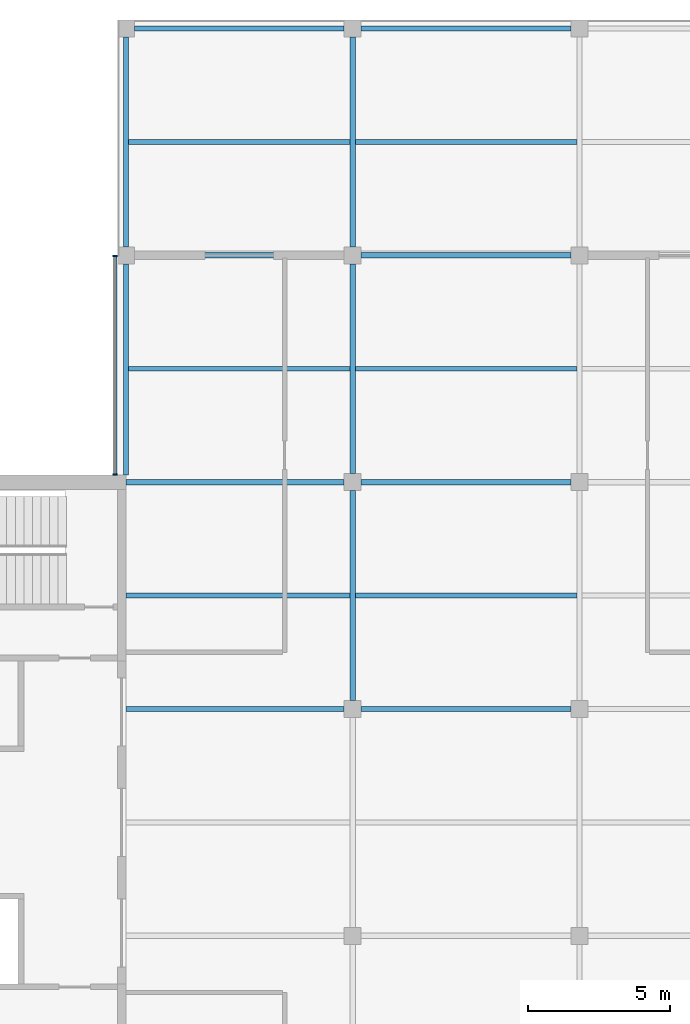
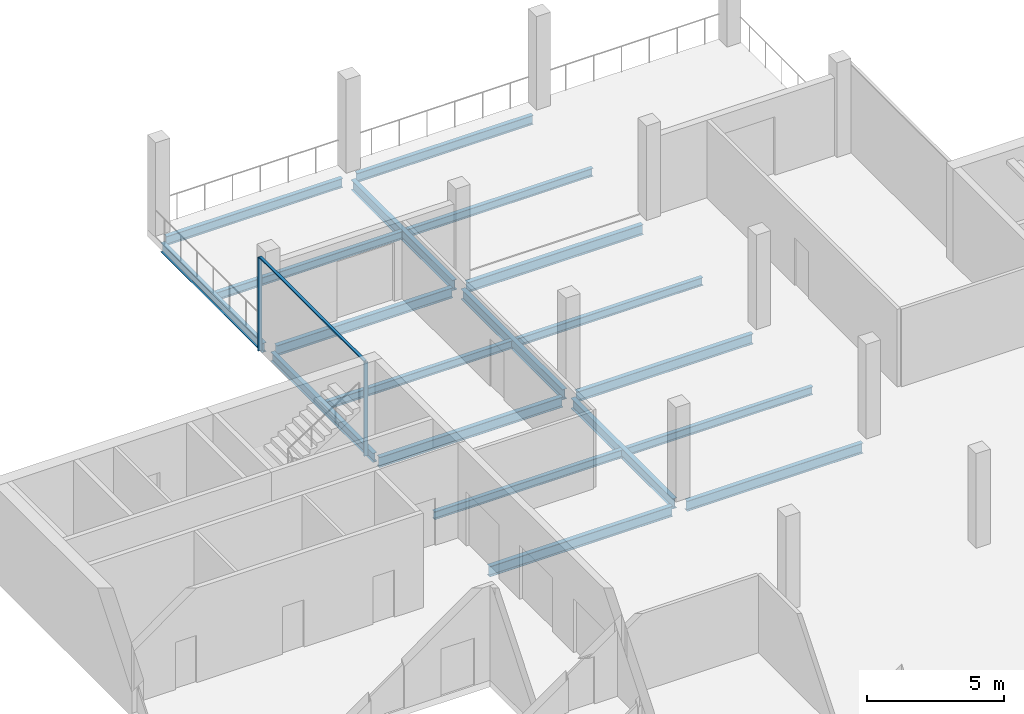
# One storey, part 5 of 12: 19 beams, 3 members, 1 element without a shape of its own.
"""IFC4 building model written with IfcOpenShell, lengths in metres."""

from ifc_helpers import new_model, si_unit, direction, frame, origin, origin_2d, place, context, subcontext, project, spatial, rectangle, i_section, extrude, material, material_profile, profile_set, type_object, element, aggregate, save


model = new_model("IFC4")

# Units and contexts
model_context = context("Model", 3, precision=1e-05, world=origin(), true_north=direction((0.0, 1.0)))
body_context = subcontext(model_context, "Body", "Model", "MODEL_VIEW")
ifc_project = project(units=[si_unit("LENGTHUNIT", "METRE"), si_unit("AREAUNIT", "SQUARE_METRE"), si_unit("VOLUMEUNIT", "CUBIC_METRE"), si_unit("PLANEANGLEUNIT", "RADIAN"), si_unit("MASSUNIT", "GRAM", prefix="KILO")], contexts=[model_context])

# Site, building, storey
site_placement = place(None, origin())
site = spatial("IfcSite", under=ifc_project, at=site_placement, CompositionType="ELEMENT")
building_placement = place(site_placement, origin())
building = spatial("IfcBuilding", under=site, at=building_placement, Name="Crosswind Convention Tower", CompositionType="ELEMENT")
storey_placement = place(building_placement, frame((0.0, 0.0, 323.89990234375)))
storey = spatial("IfcBuildingStorey", under=building, at=storey_placement, Name="L70", CompositionType="ELEMENT", Elevation=323.89990234375)

# Beams
ifc_material_1 = material(Name="Steel S355", Category="steel")
ifc_material_profile_1 = material_profile(ifc_material_1, i_section(OverallWidth=0.177734375, OverallDepth=0.406494140625, WebThickness=0.0078125, FlangeThickness=0.0126953125, FilletRadius=0.01025390625, at=origin_2d()), Name="UB 406x178x60")
ifc_profile_set_1 = profile_set([ifc_material_profile_1], Name="Steel S355")
beam_type_1 = type_object("IfcBeamType", Name="Edge beam UB 406x178x60", PredefinedType="SPANDREL", material=ifc_profile_set_1)
beam_1_placement = place(storey_placement, frame((113.0, 112.25, -0.503173828125), z_axis=(0.0, 1.0, 0.0), x_axis=(-1.0, 0.0, 0.0)))
element("IfcBeam", 1, at=beam_1_placement, inside=storey, type_object=beam_type_1, Name="B15 L70 edge beam 3", PredefinedType="SPANDREL", context=body_context, shape_type="SweptSolid", body=[
    extrude(i_section(OverallWidth=0.177734375, OverallDepth=0.406494140625, WebThickness=0.0078125, FlangeThickness=0.0126953125, FilletRadius=0.01025390625, at=origin_2d()), origin(), (0.0, 0.0, 1.0), 7.449951171875),
])
for number, where, z_axis, x_axis, name in (
    (2, (113.0, 120.300048828125, -0.503173828125), (0.0, 1.0, 0.0), (-1.0, 0.0, 0.0), "B15 L70 edge beam 4"),
    (3, (113.300048828125, 128.0, -0.503173828125), (1.0, 0.0, 0.0), (0.0, 1.0, 0.0), "B15 L70 edge beam 6"),
    (4, (121.300048828125, 128.0, -0.503173828125), (1.0, 0.0, 0.0), (0.0, 1.0, 0.0), "B15 L70 edge beam 8"),
):
    element("IfcBeam", number, at=place(storey_placement, frame(where, z_axis=z_axis, x_axis=x_axis)), inside=storey, type_object=beam_type_1, Name=name, PredefinedType="SPANDREL", context=body_context, shape_type="SweptSolid", body=[
        extrude(i_section(OverallWidth=0.177734375, OverallDepth=0.406494140625, WebThickness=0.0078125, FlangeThickness=0.0126953125, FilletRadius=0.01025390625, at=origin_2d()), origin(), (0.0, 0.0, 1.0), 7.39990234375),
    ])
ifc_material_profile_2 = material_profile(ifc_material_1, i_section(OverallWidth=0.18994140625, OverallDepth=0.45361328125, WebThickness=0.008544921875, FlangeThickness=0.0126953125, FilletRadius=0.01025390625, at=origin_2d()), Name="UB 457x191x67")
ifc_profile_set_2 = profile_set([ifc_material_profile_2], Name="Steel S355")
beam_type_2 = type_object("IfcBeamType", Name="Girder UB 457x191x67", PredefinedType="BEAM", material=ifc_profile_set_2)
for number, where, z_axis, x_axis, name in (
    (5, (113.300048828125, 120.0, -0.526611328125), (1.0, 0.0, 0.0), (0.0, 1.0, 0.0), "B1 L70 girder 2"),
    (6, (121.0, 104.300048828125, -0.526611328125), (0.0, 1.0, 0.0), (-1.0, 0.0, 0.0), "B1 L70 girder 7"),
    (7, (121.0, 112.300048828125, -0.526611328125), (0.0, 1.0, 0.0), (-1.0, 0.0, 0.0), "B1 L70 girder 8"),
    (8, (121.0, 120.300048828125, -0.526611328125), (0.0, 1.0, 0.0), (-1.0, 0.0, 0.0), "B1 L70 girder 9"),
    (9, (121.300048828125, 104.0, -0.526611328125), (1.0, 0.0, 0.0), (0.0, 1.0, 0.0), "B1 L70 girder 13"),
    (10, (121.300048828125, 112.0, -0.526611328125), (1.0, 0.0, 0.0), (0.0, 1.0, 0.0), "B1 L70 girder 14"),
    (11, (121.300048828125, 120.0, -0.526611328125), (1.0, 0.0, 0.0), (0.0, 1.0, 0.0), "B1 L70 girder 15"),
):
    element("IfcBeam", number, at=place(storey_placement, frame(where, z_axis=z_axis, x_axis=x_axis)), inside=storey, type_object=beam_type_2, Name=name, PredefinedType="BEAM", context=body_context, shape_type="SweptSolid", body=[
        extrude(i_section(OverallWidth=0.18994140625, OverallDepth=0.45361328125, WebThickness=0.008544921875, FlangeThickness=0.0126953125, FilletRadius=0.01025390625, at=origin_2d()), origin(), (0.0, 0.0, 1.0), 7.39990234375),
    ])
ifc_material_profile_3 = material_profile(ifc_material_1, i_section(OverallWidth=0.1904296875, OverallDepth=0.457275390625, WebThickness=0.009033203125, FlangeThickness=0.014404296875, FilletRadius=0.01025390625, at=origin_2d()), Name="UB 457x191x75")
ifc_profile_set_3 = profile_set([ifc_material_profile_3], Name="Steel S355")
beam_type_3 = type_object("IfcBeamType", Name="Girder at core wall UB 457x191x75", PredefinedType="BEAM", material=ifc_profile_set_3)
for number, where, z_axis, x_axis, name in (
    (12, (113.0, 104.0, -0.528564453125), (1.0, 0.0, 0.0), (0.0, 1.0, 0.0), "B22 L70 girder at core wall 3"),
    (13, (113.0, 112.0, -0.528564453125), (1.0, 0.0, 0.0), (0.0, 1.0, 0.0), "B22 L70 girder at core wall 4"),
):
    element("IfcBeam", number, at=place(storey_placement, frame(where, z_axis=z_axis, x_axis=x_axis)), inside=storey, type_object=beam_type_3, Name=name, PredefinedType="BEAM", context=body_context, shape_type="SweptSolid", body=[
        extrude(i_section(OverallWidth=0.1904296875, OverallDepth=0.457275390625, WebThickness=0.009033203125, FlangeThickness=0.014404296875, FilletRadius=0.01025390625, at=origin_2d()), origin(), (0.0, 0.0, 1.0), 7.699951171875),
    ])

# Curtain wall, members
ifc_material_2 = material(Name="Aluminium unitised curtain wall", Category="aluminium")
curtain_wall_type = type_object("IfcCurtainWallType", Name="CORE END SLOT WALL 160", PredefinedType="USERDEFINED", material=ifc_material_2)
curtain_wall_placement = place(storey_placement, origin())
curtain_wall = element("IfcCurtainWall", 14, at=curtain_wall_placement, inside=storey, type_object=curtain_wall_type, Name="CW6 L70 N-W.1-2 slot", ObjectType="UNITISED", PredefinedType="USERDEFINED")
ifc_material_3 = material(Name="Aluminium mullion", Category="aluminium")
ifc_material_profile_4 = material_profile(ifc_material_3, rectangle(XDim=0.159912109375, YDim=0.050048828125, at=origin_2d()), Name="AL 160X50")
ifc_profile_set_4 = profile_set([ifc_material_profile_4], Name="Aluminium mullion")
member_type_1 = type_object("IfcMemberType", Name="MULLION 50X160", PredefinedType="MULLION", material=ifc_profile_set_4)
member_1_placement = place(storey_placement, frame((112.6201171875, 119.97509765625, -0.2998046875), z_axis=(0.0, 0.0, 1.0), x_axis=(-1.0, 0.0, 0.0)))
member_1 = element("IfcMember", 15, at=member_1_placement, type_object=member_type_1, Name="CW6 mullion 1", PredefinedType="MULLION", context=body_context, shape_type="SweptSolid", body=[
    extrude(rectangle(XDim=0.159912109375, YDim=0.050048828125, at=origin_2d()), origin(), (0.0, 0.0, 1.0), 4.14990234375),
])
member_2_placement = place(storey_placement, frame((112.6201171875, 112.27490234375, -0.2998046875), z_axis=(0.0, 0.0, 1.0), x_axis=(-1.0, 0.0, 0.0)))
member_2 = element("IfcMember", 16, at=member_2_placement, type_object=member_type_1, Name="CW6 mullion 2", PredefinedType="MULLION", context=body_context, shape_type="SweptSolid", body=[
    extrude(rectangle(XDim=0.159912109375, YDim=0.050048828125, at=origin_2d()), origin(), (0.0, 0.0, 1.0), 4.14990234375),
])

# Beams
ifc_material_profile_5 = material_profile(ifc_material_1, i_section(OverallWidth=0.17138671875, OverallDepth=0.355712890625, WebThickness=0.00732421875, FlangeThickness=0.011474609375, FilletRadius=0.01025390625, at=origin_2d()), Name="UB 356x171x51")
ifc_profile_set_5 = profile_set([ifc_material_profile_5], Name="Steel S355")
beam_type_4 = type_object("IfcBeamType", Name="Secondary beam UB 356x171x51", PredefinedType="JOIST", material=ifc_profile_set_5)
beam_2_placement = place(storey_placement, frame((113.0, 108.0, -0.477783203125), z_axis=(1.0, 0.0, 0.0), x_axis=(0.0, 1.0, 0.0)))
element("IfcBeam", 17, at=beam_2_placement, inside=storey, type_object=beam_type_4, Name="B8 L70 secondary beam 3", PredefinedType="JOIST", context=body_context, shape_type="SweptSolid", body=[
    extrude(i_section(OverallWidth=0.17138671875, OverallDepth=0.355712890625, WebThickness=0.00732421875, FlangeThickness=0.011474609375, FilletRadius=0.01025390625, at=origin_2d()), origin(), (0.0, 0.0, 1.0), 7.905029296875),
])
for number, where, z_axis, x_axis, name in (
    (18, (113.0888671875, 116.0, -0.477783203125), (1.0, 0.0, 0.0), (0.0, 1.0, 0.0), "B8 L70 secondary beam 6"),
    (19, (113.0888671875, 124.0, -0.477783203125), (1.0, 0.0, 0.0), (0.0, 1.0, 0.0), "B8 L70 secondary beam 7"),
):
    element("IfcBeam", number, at=place(storey_placement, frame(where, z_axis=z_axis, x_axis=x_axis)), inside=storey, type_object=beam_type_4, Name=name, PredefinedType="JOIST", context=body_context, shape_type="SweptSolid", body=[
        extrude(i_section(OverallWidth=0.17138671875, OverallDepth=0.355712890625, WebThickness=0.00732421875, FlangeThickness=0.011474609375, FilletRadius=0.01025390625, at=origin_2d()), origin(), (0.0, 0.0, 1.0), 7.816162109375),
    ])
for number, where, z_axis, x_axis, name in (
    (20, (121.094970703125, 108.0, -0.477783203125), (1.0, 0.0, 0.0), (0.0, 1.0, 0.0), "B8 L70 secondary beam 12"),
    (21, (121.094970703125, 116.0, -0.477783203125), (1.0, 0.0, 0.0), (0.0, 1.0, 0.0), "B8 L70 secondary beam 13"),
    (22, (121.094970703125, 124.0, -0.477783203125), (1.0, 0.0, 0.0), (0.0, 1.0, 0.0), "B8 L70 secondary beam 14"),
):
    element("IfcBeam", number, at=place(storey_placement, frame(where, z_axis=z_axis, x_axis=x_axis)), inside=storey, type_object=beam_type_4, Name=name, PredefinedType="JOIST", context=body_context, shape_type="SweptSolid", body=[
        extrude(i_section(OverallWidth=0.17138671875, OverallDepth=0.355712890625, WebThickness=0.00732421875, FlangeThickness=0.011474609375, FilletRadius=0.01025390625, at=origin_2d()), origin(), (0.0, 0.0, 1.0), 7.81005859375),
    ])

# Member
ifc_material_4 = material(Name="Aluminium transom", Category="aluminium")
ifc_material_profile_6 = material_profile(ifc_material_4, rectangle(XDim=0.1201171875, YDim=0.050048828125, at=origin_2d()), Name="AL 120X50")
ifc_profile_set_6 = profile_set([ifc_material_profile_6], Name="Aluminium transom")
member_type_2 = type_object("IfcMemberType", Name="TRANSOM 50X120", PredefinedType="USERDEFINED", material=ifc_profile_set_6)
member_3_placement = place(storey_placement, frame((112.6201171875, 119.949951171875, 3.875), z_axis=(0.0, -1.0, 0.0), x_axis=(1.0, 0.0, 0.0)))
member_3 = element("IfcMember", 23, at=member_3_placement, type_object=member_type_2, Name="CW6 transom", ObjectType="TRANSOM", PredefinedType="USERDEFINED", context=body_context, shape_type="SweptSolid", body=[
    extrude(rectangle(XDim=0.1201171875, YDim=0.050048828125, at=origin_2d()), origin(), (0.0, 0.0, 1.0), 7.64990234375),
])

aggregate(curtain_wall, [member_1, member_2, member_3])

save(model, "model.ifc")
